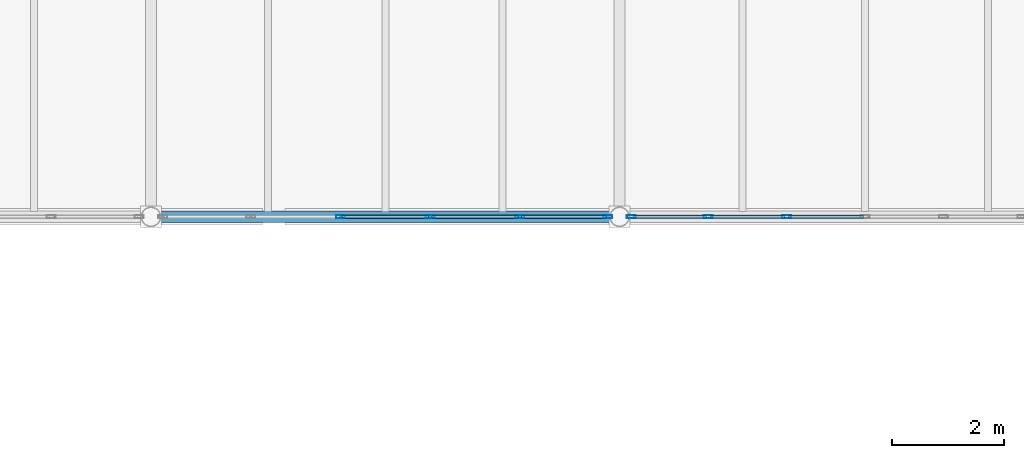
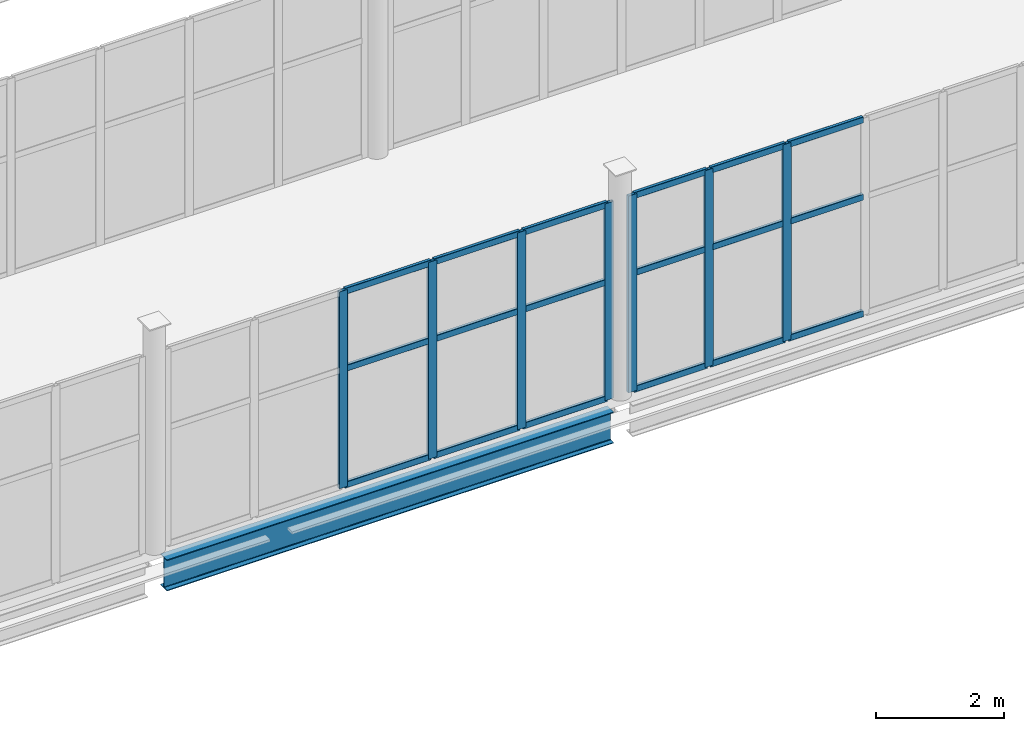
# One storey, part 50 of 172: 25 members, 1 beam, 2 elements without a shape of their own.
"""IFC4 building model written with IfcOpenShell, lengths in metres."""

from ifc_helpers import new_model, si_unit, direction, frame, origin, origin_2d, place, context, subcontext, project, spatial, hollow_rectangle, i_section, extrude, material, material_profile, profile_set, type_object, element, aggregate, save


model = new_model("IFC4")

# Units and contexts
model_context = context("Model", 3, precision=1e-05, world=origin(), true_north=direction((0.0, 1.0)))
body_context = subcontext(model_context, "Body", "Model", "MODEL_VIEW")
ifc_project = project(units=[si_unit("LENGTHUNIT", "METRE"), si_unit("AREAUNIT", "SQUARE_METRE"), si_unit("VOLUMEUNIT", "CUBIC_METRE"), si_unit("PLANEANGLEUNIT", "RADIAN"), si_unit("MASSUNIT", "GRAM", prefix="KILO")], contexts=[model_context])

# Site, building, storey
site_placement = place(None, origin())
site = spatial("IfcSite", under=ifc_project, at=site_placement, CompositionType="ELEMENT")
building_placement = place(site_placement, origin())
building = spatial("IfcBuilding", under=site, at=building_placement, Name="Shengluoqiao Park Theatre", CompositionType="ELEMENT")
storey_placement = place(building_placement, frame((0.0, 0.0, 5.39990234375)))
storey = spatial("IfcBuildingStorey", under=building, at=storey_placement, Name="L01", CompositionType="ELEMENT", Elevation=5.39990234375)

# Curtain wall, members
ifc_material_1 = material(Name="Aluminium 6063-T6", Category="aluminium")
curtain_wall_type = type_object("IfcCurtainWallType", Name="ENV-CW-BRIDGE", PredefinedType="NOTDEFINED", material=ifc_material_1)
curtain_wall_1_placement = place(storey_placement, origin())
curtain_wall_1 = element("IfcCurtainWall", 1, at=curtain_wall_1_placement, inside=storey, type_object=curtain_wall_type, Name="L01 Curtain Wall CWX-L01-0127", PredefinedType="NOTDEFINED")
ifc_material_profile_1 = material_profile(ifc_material_1, hollow_rectangle(XDim=0.06005859375, YDim=0.159912109375, WallThickness=0.00390625, InnerFilletRadius=0.00390625, OuterFilletRadius=0.008056640625, at=origin_2d()), Name="ALU MULLION 160x60x4")
ifc_profile_set_1 = profile_set([ifc_material_profile_1], Name="Aluminium 6063-T6")
member_type_1 = type_object("IfcMemberType", Name="ENV-MUL-160", PredefinedType="MULLION", material=ifc_profile_set_1)
member_1_placement = place(storey_placement, frame((81.396484375, 53.199951171875, 0.0), z_axis=(0.0, 0.0, 1.0), x_axis=(0.0, 1.0, 0.0)))
member_1 = element("IfcMember", 2, at=member_1_placement, type_object=member_type_1, Name="CW-03 mullion 3", PredefinedType="MULLION", context=body_context, shape_type="SweptSolid", body=[
    extrude(hollow_rectangle(XDim=0.06005859375, YDim=0.159912109375, WallThickness=0.00390625, InnerFilletRadius=0.00390625, OuterFilletRadius=0.008056640625, at=origin_2d()), origin(), (0.0, 0.0, 1.0), 3.752197265625),
])
member_2_placement = place(storey_placement, frame((83.003662109375, 53.199951171875, 0.0), z_axis=(0.0, 0.0, 1.0), x_axis=(0.0, 1.0, 0.0)))
member_2 = element("IfcMember", 3, at=member_2_placement, type_object=member_type_1, Name="CW-03 mullion 4", PredefinedType="MULLION", context=body_context, shape_type="SweptSolid", body=[
    extrude(hollow_rectangle(XDim=0.06005859375, YDim=0.159912109375, WallThickness=0.00390625, InnerFilletRadius=0.00390625, OuterFilletRadius=0.008056640625, at=origin_2d()), origin(), (0.0, 0.0, 1.0), 3.752197265625),
])
member_3_placement = place(storey_placement, frame((84.61083984375, 53.199951171875, 0.0), z_axis=(0.0, 0.0, 1.0), x_axis=(0.0, 1.0, 0.0)))
member_3 = element("IfcMember", 4, at=member_3_placement, type_object=member_type_1, Name="CW-03 mullion 5", PredefinedType="MULLION", context=body_context, shape_type="SweptSolid", body=[
    extrude(hollow_rectangle(XDim=0.06005859375, YDim=0.159912109375, WallThickness=0.00390625, InnerFilletRadius=0.00390625, OuterFilletRadius=0.008056640625, at=origin_2d()), origin(), (0.0, 0.0, 1.0), 3.752197265625),
])
member_4_placement = place(storey_placement, frame((86.18798828125, 53.199951171875, 0.0), z_axis=(0.0, 0.0, 1.0), x_axis=(0.0, 1.0, 0.0)))
member_4 = element("IfcMember", 5, at=member_4_placement, type_object=member_type_1, Name="CW-03 mullion 6", PredefinedType="MULLION", context=body_context, shape_type="SweptSolid", body=[
    extrude(hollow_rectangle(XDim=0.06005859375, YDim=0.159912109375, WallThickness=0.00390625, InnerFilletRadius=0.00390625, OuterFilletRadius=0.008056640625, at=origin_2d()), origin(), (0.0, 0.0, 1.0), 3.752197265625),
])

curtain_wall_2_placement = place(storey_placement, origin())
curtain_wall_2 = element("IfcCurtainWall", 6, at=curtain_wall_2_placement, inside=storey, type_object=curtain_wall_type, Name="L01 Curtain Wall CWX-L01-0128", PredefinedType="NOTDEFINED")
member_5_placement = place(storey_placement, frame((86.612060546875, 53.199951171875, 0.0), z_axis=(0.0, 0.0, 1.0), x_axis=(0.0, 1.0, 0.0)))
member_5 = element("IfcMember", 7, at=member_5_placement, type_object=member_type_1, Name="CW-03 mullion 1", PredefinedType="MULLION", context=body_context, shape_type="SweptSolid", body=[
    extrude(hollow_rectangle(XDim=0.06005859375, YDim=0.159912109375, WallThickness=0.00390625, InnerFilletRadius=0.00390625, OuterFilletRadius=0.008056640625, at=origin_2d()), origin(), (0.0, 0.0, 1.0), 3.752197265625),
])
member_6_placement = place(storey_placement, frame((87.988037109375, 53.199951171875, 0.0), z_axis=(0.0, 0.0, 1.0), x_axis=(0.0, 1.0, 0.0)))
member_6 = element("IfcMember", 8, at=member_6_placement, type_object=member_type_1, Name="CW-03 mullion 2", PredefinedType="MULLION", context=body_context, shape_type="SweptSolid", body=[
    extrude(hollow_rectangle(XDim=0.06005859375, YDim=0.159912109375, WallThickness=0.00390625, InnerFilletRadius=0.00390625, OuterFilletRadius=0.008056640625, at=origin_2d()), origin(), (0.0, 0.0, 1.0), 3.752197265625),
])
member_7_placement = place(storey_placement, frame((89.39404296875, 53.199951171875, 0.0), z_axis=(0.0, 0.0, 1.0), x_axis=(0.0, 1.0, 0.0)))
member_7 = element("IfcMember", 9, at=member_7_placement, type_object=member_type_1, Name="CW-03 mullion 3", PredefinedType="MULLION", context=body_context, shape_type="SweptSolid", body=[
    extrude(hollow_rectangle(XDim=0.06005859375, YDim=0.159912109375, WallThickness=0.00390625, InnerFilletRadius=0.00390625, OuterFilletRadius=0.008056640625, at=origin_2d()), origin(), (0.0, 0.0, 1.0), 3.752197265625),
])

# Member
ifc_material_profile_2 = material_profile(ifc_material_1, hollow_rectangle(XDim=0.06005859375, YDim=0.1201171875, WallThickness=0.00390625, InnerFilletRadius=0.00390625, OuterFilletRadius=0.008056640625, at=origin_2d()), Name="ALU TRANSOM 120x60x4")
ifc_profile_set_2 = profile_set([ifc_material_profile_2], Name="Aluminium 6063-T6")
member_type_2 = type_object("IfcMemberType", Name="ENV-TRN-120", PredefinedType="USERDEFINED", material=ifc_profile_set_2)
member_8_placement = place(storey_placement, frame((81.426513671875, 53.199951171875, 0.030029296875), z_axis=(1.0, 0.0, 0.0), x_axis=(0.0, 1.0, 0.0)))
member_8 = element("IfcMember", 10, at=member_8_placement, type_object=member_type_2, Name="CW-03 transom 3.1", ObjectType="TRANSOM", PredefinedType="USERDEFINED", context=body_context, shape_type="SweptSolid", body=[
    extrude(hollow_rectangle(XDim=0.06005859375, YDim=0.1201171875, WallThickness=0.00390625, InnerFilletRadius=0.00390625, OuterFilletRadius=0.008056640625, at=origin_2d()), origin(), (0.0, 0.0, 1.0), 1.547119140625),
])

member_9_placement = place(storey_placement, frame((81.426513671875, 53.199951171875, 2.2509765625), z_axis=(1.0, 0.0, 0.0), x_axis=(0.0, 1.0, 0.0)))
member_9 = element("IfcMember", 11, at=member_9_placement, type_object=member_type_2, Name="CW-03 transom 3.2", ObjectType="TRANSOM", PredefinedType="USERDEFINED", context=body_context, shape_type="SweptSolid", body=[
    extrude(hollow_rectangle(XDim=0.06005859375, YDim=0.1201171875, WallThickness=0.00390625, InnerFilletRadius=0.00390625, OuterFilletRadius=0.008056640625, at=origin_2d()), origin(), (0.0, 0.0, 1.0), 1.547119140625),
])

member_10_placement = place(storey_placement, frame((81.426513671875, 53.199951171875, 3.72216796875), z_axis=(1.0, 0.0, 0.0), x_axis=(0.0, 1.0, 0.0)))
member_10 = element("IfcMember", 12, at=member_10_placement, type_object=member_type_2, Name="CW-03 transom 3.3", ObjectType="TRANSOM", PredefinedType="USERDEFINED", context=body_context, shape_type="SweptSolid", body=[
    extrude(hollow_rectangle(XDim=0.06005859375, YDim=0.1201171875, WallThickness=0.00390625, InnerFilletRadius=0.00390625, OuterFilletRadius=0.008056640625, at=origin_2d()), origin(), (0.0, 0.0, 1.0), 1.547119140625),
])

member_11_placement = place(storey_placement, frame((83.03369140625, 53.199951171875, 0.030029296875), z_axis=(1.0, 0.0, 0.0), x_axis=(0.0, 1.0, 0.0)))
member_11 = element("IfcMember", 13, at=member_11_placement, type_object=member_type_2, Name="CW-03 transom 4.1", ObjectType="TRANSOM", PredefinedType="USERDEFINED", context=body_context, shape_type="SweptSolid", body=[
    extrude(hollow_rectangle(XDim=0.06005859375, YDim=0.1201171875, WallThickness=0.00390625, InnerFilletRadius=0.00390625, OuterFilletRadius=0.008056640625, at=origin_2d()), origin(), (0.0, 0.0, 1.0), 1.547119140625),
])

member_12_placement = place(storey_placement, frame((83.03369140625, 53.199951171875, 2.2509765625), z_axis=(1.0, 0.0, 0.0), x_axis=(0.0, 1.0, 0.0)))
member_12 = element("IfcMember", 14, at=member_12_placement, type_object=member_type_2, Name="CW-03 transom 4.2", ObjectType="TRANSOM", PredefinedType="USERDEFINED", context=body_context, shape_type="SweptSolid", body=[
    extrude(hollow_rectangle(XDim=0.06005859375, YDim=0.1201171875, WallThickness=0.00390625, InnerFilletRadius=0.00390625, OuterFilletRadius=0.008056640625, at=origin_2d()), origin(), (0.0, 0.0, 1.0), 1.547119140625),
])

member_13_placement = place(storey_placement, frame((83.03369140625, 53.199951171875, 3.72216796875), z_axis=(1.0, 0.0, 0.0), x_axis=(0.0, 1.0, 0.0)))
member_13 = element("IfcMember", 15, at=member_13_placement, type_object=member_type_2, Name="CW-03 transom 4.3", ObjectType="TRANSOM", PredefinedType="USERDEFINED", context=body_context, shape_type="SweptSolid", body=[
    extrude(hollow_rectangle(XDim=0.06005859375, YDim=0.1201171875, WallThickness=0.00390625, InnerFilletRadius=0.00390625, OuterFilletRadius=0.008056640625, at=origin_2d()), origin(), (0.0, 0.0, 1.0), 1.547119140625),
])

member_14_placement = place(storey_placement, frame((84.640869140625, 53.199951171875, 0.030029296875), z_axis=(1.0, 0.0, 0.0), x_axis=(0.0, 1.0, 0.0)))
member_14 = element("IfcMember", 16, at=member_14_placement, type_object=member_type_2, Name="CW-03 transom 5.1", ObjectType="TRANSOM", PredefinedType="USERDEFINED", context=body_context, shape_type="SweptSolid", body=[
    extrude(hollow_rectangle(XDim=0.06005859375, YDim=0.1201171875, WallThickness=0.00390625, InnerFilletRadius=0.00390625, OuterFilletRadius=0.008056640625, at=origin_2d()), origin(), (0.0, 0.0, 1.0), 1.51708984375),
])

member_15_placement = place(storey_placement, frame((84.640869140625, 53.199951171875, 2.2509765625), z_axis=(1.0, 0.0, 0.0), x_axis=(0.0, 1.0, 0.0)))
member_15 = element("IfcMember", 17, at=member_15_placement, type_object=member_type_2, Name="CW-03 transom 5.2", ObjectType="TRANSOM", PredefinedType="USERDEFINED", context=body_context, shape_type="SweptSolid", body=[
    extrude(hollow_rectangle(XDim=0.06005859375, YDim=0.1201171875, WallThickness=0.00390625, InnerFilletRadius=0.00390625, OuterFilletRadius=0.008056640625, at=origin_2d()), origin(), (0.0, 0.0, 1.0), 1.51708984375),
])

member_16_placement = place(storey_placement, frame((84.640869140625, 53.199951171875, 3.72216796875), z_axis=(1.0, 0.0, 0.0), x_axis=(0.0, 1.0, 0.0)))
member_16 = element("IfcMember", 18, at=member_16_placement, type_object=member_type_2, Name="CW-03 transom 5.3", ObjectType="TRANSOM", PredefinedType="USERDEFINED", context=body_context, shape_type="SweptSolid", body=[
    extrude(hollow_rectangle(XDim=0.06005859375, YDim=0.1201171875, WallThickness=0.00390625, InnerFilletRadius=0.00390625, OuterFilletRadius=0.008056640625, at=origin_2d()), origin(), (0.0, 0.0, 1.0), 1.51708984375),
])

aggregate(curtain_wall_1, [member_1, member_2, member_3, member_4, member_8, member_9, member_10, member_11, member_12, member_13, member_14, member_15, member_16])

member_17_placement = place(storey_placement, frame((86.64208984375, 53.199951171875, 0.030029296875), z_axis=(1.0, 0.0, 0.0), x_axis=(0.0, 1.0, 0.0)))
member_17 = element("IfcMember", 19, at=member_17_placement, type_object=member_type_2, Name="CW-03 transom 1.1", ObjectType="TRANSOM", PredefinedType="USERDEFINED", context=body_context, shape_type="SweptSolid", body=[
    extrude(hollow_rectangle(XDim=0.06005859375, YDim=0.1201171875, WallThickness=0.00390625, InnerFilletRadius=0.00390625, OuterFilletRadius=0.008056640625, at=origin_2d()), origin(), (0.0, 0.0, 1.0), 1.31591796875),
])

member_18_placement = place(storey_placement, frame((86.64208984375, 53.199951171875, 2.2509765625), z_axis=(1.0, 0.0, 0.0), x_axis=(0.0, 1.0, 0.0)))
member_18 = element("IfcMember", 20, at=member_18_placement, type_object=member_type_2, Name="CW-03 transom 1.2", ObjectType="TRANSOM", PredefinedType="USERDEFINED", context=body_context, shape_type="SweptSolid", body=[
    extrude(hollow_rectangle(XDim=0.06005859375, YDim=0.1201171875, WallThickness=0.00390625, InnerFilletRadius=0.00390625, OuterFilletRadius=0.008056640625, at=origin_2d()), origin(), (0.0, 0.0, 1.0), 1.31591796875),
])

member_19_placement = place(storey_placement, frame((86.64208984375, 53.199951171875, 3.72216796875), z_axis=(1.0, 0.0, 0.0), x_axis=(0.0, 1.0, 0.0)))
member_19 = element("IfcMember", 21, at=member_19_placement, type_object=member_type_2, Name="CW-03 transom 1.3", ObjectType="TRANSOM", PredefinedType="USERDEFINED", context=body_context, shape_type="SweptSolid", body=[
    extrude(hollow_rectangle(XDim=0.06005859375, YDim=0.1201171875, WallThickness=0.00390625, InnerFilletRadius=0.00390625, OuterFilletRadius=0.008056640625, at=origin_2d()), origin(), (0.0, 0.0, 1.0), 1.31591796875),
])

member_20_placement = place(storey_placement, frame((88.01806640625, 53.199951171875, 0.030029296875), z_axis=(1.0, 0.0, 0.0), x_axis=(0.0, 1.0, 0.0)))
member_20 = element("IfcMember", 22, at=member_20_placement, type_object=member_type_2, Name="CW-03 transom 2.1", ObjectType="TRANSOM", PredefinedType="USERDEFINED", context=body_context, shape_type="SweptSolid", body=[
    extrude(hollow_rectangle(XDim=0.06005859375, YDim=0.1201171875, WallThickness=0.00390625, InnerFilletRadius=0.00390625, OuterFilletRadius=0.008056640625, at=origin_2d()), origin(), (0.0, 0.0, 1.0), 1.345947265625),
])

member_21_placement = place(storey_placement, frame((88.01806640625, 53.199951171875, 2.2509765625), z_axis=(1.0, 0.0, 0.0), x_axis=(0.0, 1.0, 0.0)))
member_21 = element("IfcMember", 23, at=member_21_placement, type_object=member_type_2, Name="CW-03 transom 2.2", ObjectType="TRANSOM", PredefinedType="USERDEFINED", context=body_context, shape_type="SweptSolid", body=[
    extrude(hollow_rectangle(XDim=0.06005859375, YDim=0.1201171875, WallThickness=0.00390625, InnerFilletRadius=0.00390625, OuterFilletRadius=0.008056640625, at=origin_2d()), origin(), (0.0, 0.0, 1.0), 1.345947265625),
])

member_22_placement = place(storey_placement, frame((88.01806640625, 53.199951171875, 3.72216796875), z_axis=(1.0, 0.0, 0.0), x_axis=(0.0, 1.0, 0.0)))
member_22 = element("IfcMember", 24, at=member_22_placement, type_object=member_type_2, Name="CW-03 transom 2.3", ObjectType="TRANSOM", PredefinedType="USERDEFINED", context=body_context, shape_type="SweptSolid", body=[
    extrude(hollow_rectangle(XDim=0.06005859375, YDim=0.1201171875, WallThickness=0.00390625, InnerFilletRadius=0.00390625, OuterFilletRadius=0.008056640625, at=origin_2d()), origin(), (0.0, 0.0, 1.0), 1.345947265625),
])

member_23_placement = place(storey_placement, frame((89.424072265625, 53.199951171875, 0.030029296875), z_axis=(1.0, 0.0, 0.0), x_axis=(0.0, 1.0, 0.0)))
member_23 = element("IfcMember", 25, at=member_23_placement, type_object=member_type_2, Name="CW-03 transom 3.1", ObjectType="TRANSOM", PredefinedType="USERDEFINED", context=body_context, shape_type="SweptSolid", body=[
    extrude(hollow_rectangle(XDim=0.06005859375, YDim=0.1201171875, WallThickness=0.00390625, InnerFilletRadius=0.00390625, OuterFilletRadius=0.008056640625, at=origin_2d()), origin(), (0.0, 0.0, 1.0), 1.345947265625),
])

member_24_placement = place(storey_placement, frame((89.424072265625, 53.199951171875, 2.2509765625), z_axis=(1.0, 0.0, 0.0), x_axis=(0.0, 1.0, 0.0)))
member_24 = element("IfcMember", 26, at=member_24_placement, type_object=member_type_2, Name="CW-03 transom 3.2", ObjectType="TRANSOM", PredefinedType="USERDEFINED", context=body_context, shape_type="SweptSolid", body=[
    extrude(hollow_rectangle(XDim=0.06005859375, YDim=0.1201171875, WallThickness=0.00390625, InnerFilletRadius=0.00390625, OuterFilletRadius=0.008056640625, at=origin_2d()), origin(), (0.0, 0.0, 1.0), 1.345947265625),
])

member_25_placement = place(storey_placement, frame((89.424072265625, 53.199951171875, 3.72216796875), z_axis=(1.0, 0.0, 0.0), x_axis=(0.0, 1.0, 0.0)))
member_25 = element("IfcMember", 27, at=member_25_placement, type_object=member_type_2, Name="CW-03 transom 3.3", ObjectType="TRANSOM", PredefinedType="USERDEFINED", context=body_context, shape_type="SweptSolid", body=[
    extrude(hollow_rectangle(XDim=0.06005859375, YDim=0.1201171875, WallThickness=0.00390625, InnerFilletRadius=0.00390625, OuterFilletRadius=0.008056640625, at=origin_2d()), origin(), (0.0, 0.0, 1.0), 1.345947265625),
])

aggregate(curtain_wall_2, [member_5, member_6, member_7, member_17, member_18, member_19, member_20, member_21, member_22, member_23, member_24, member_25])

# Beam
ifc_material_2 = material(Name="Steel Q355", Category="steel")
ifc_material_profile_3 = material_profile(ifc_material_2, i_section(OverallWidth=0.198974609375, OverallDepth=0.595947265625, WebThickness=0.010009765625, FlangeThickness=0.014892578125, FilletRadius=0.02001953125, at=origin_2d()), Name="HN 596x199x10x15")
ifc_profile_set_3 = profile_set([ifc_material_profile_3], Name="Steel Q355")
beam_type = type_object("IfcBeamType", Name="STR-BM-SP-HN596", PredefinedType="SPANDREL", material=ifc_profile_set_3)
beam_placement = place(storey_placement, frame((78.172119140625, 53.199951171875, -0.5078125), z_axis=(1.0, 0.0, 0.0), x_axis=(0.0, 1.0, 0.0)))
element("IfcBeam", 28, at=beam_placement, inside=storey, type_object=beam_type, Name="L01 Primary Girder 00565", PredefinedType="SPANDREL", context=body_context, shape_type="SweptSolid", body=[
    extrude(i_section(OverallWidth=0.198974609375, OverallDepth=0.595947265625, WebThickness=0.010009765625, FlangeThickness=0.014892578125, FilletRadius=0.02001953125, at=origin_2d()), origin(), (0.0, 0.0, 1.0), 8.055908203125),
])

save(model, "model.ifc")
